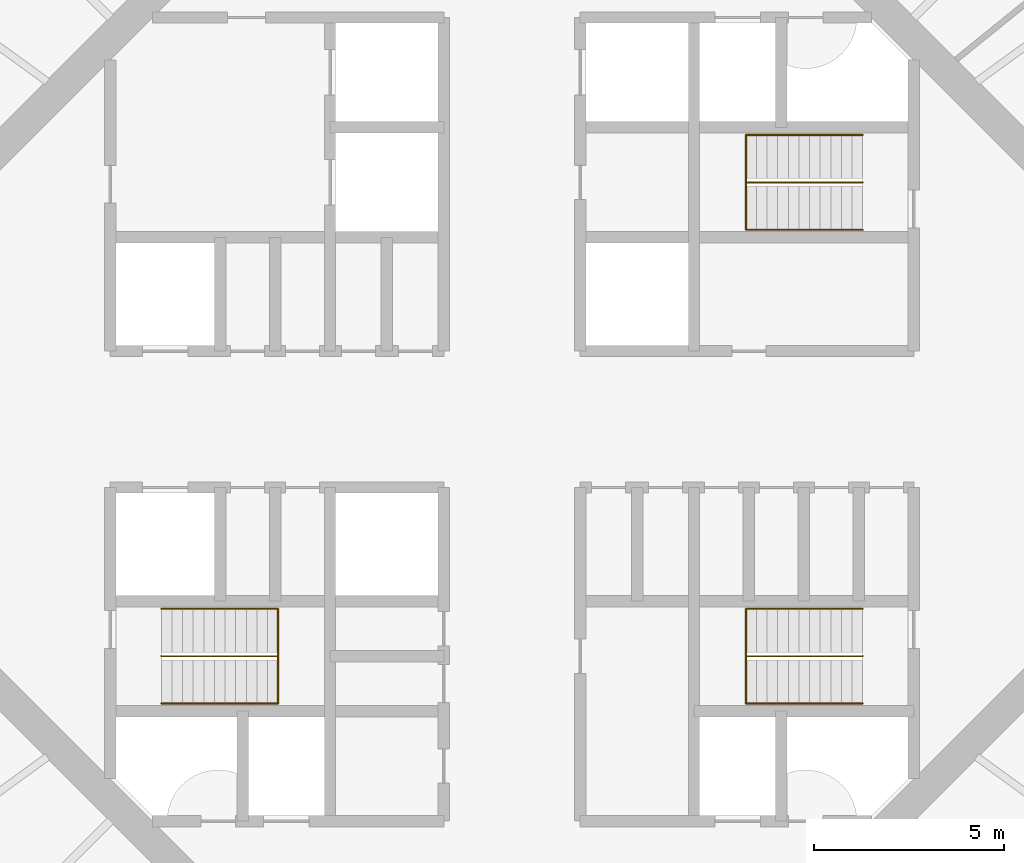
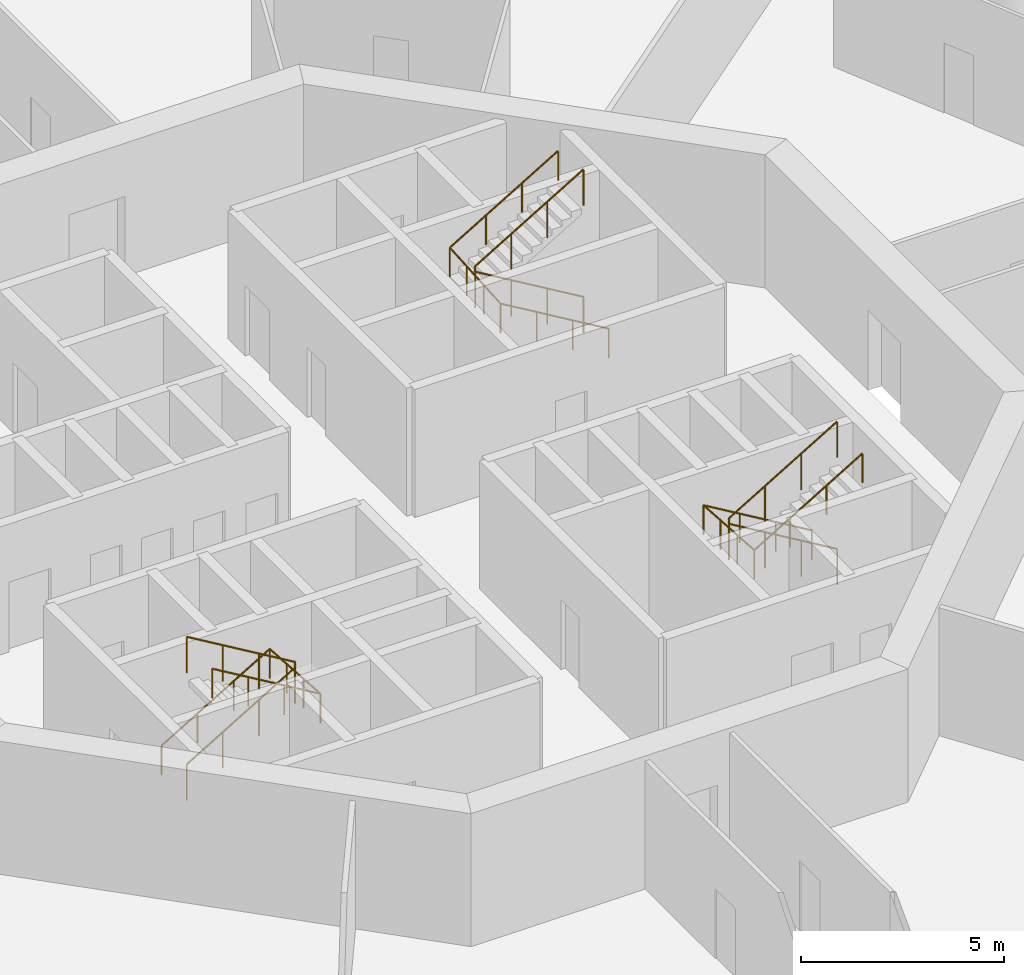
# One storey, part 13 of 13: 6 railings.
"""IFC4 building model written with IfcOpenShell, lengths in metres."""

import ifcopenshell
import ifcopenshell.guid

model = None  # the IFC model being written
_history = None  # IfcOwnerHistory: only IFC2X3 demands one
_inside = {}  # id of a spatial element -> (the spatial element, [elements in it])
_under = {}  # id of a project, library or spatial element -> (it, [spatial elements below it])
_declared = {}  # id of a project -> (the project, [libraries it declares])
_typed = {}  # id of a type object -> (the type object, [elements of that type])
_made_of = {}  # id of a material, layer set ... -> (it, [elements and type objects made of it])


def new_model(schema):
    """Start an empty IFC model of exactly this schema.

    Asked for "IFC4X3", IfcOpenShell would pick the latest addendum, in which some entities
    have other attributes; the version numbers below select the first issue.
    IFC2X3 requires an IfcOwnerHistory on every rooted entity: one is made here for all.
    """
    global model, _history
    if schema == "IFC4X3":
        model = ifcopenshell.file(schema_version=(4, 3, 0, 0))
    else:
        model = ifcopenshell.file(schema=schema)
    _inside.clear()
    _under.clear()
    _declared.clear()
    _typed.clear()
    _made_of.clear()
    _history = None
    if model.schema == "IFC2X3":
        org = make("IfcOrganization", Name="unknown")
        user = make(
            "IfcPersonAndOrganization",
            ThePerson=make("IfcPerson", FamilyName="unknown"),
            TheOrganization=org,
        )
        app = make(
            "IfcApplication",
            ApplicationDeveloper=org,
            Version="unknown",
            ApplicationFullName="unknown",
            ApplicationIdentifier="unknown",
        )
        _history = make(
            "IfcOwnerHistory",
            OwningUser=user,
            OwningApplication=app,
            ChangeAction="ADDED",
            CreationDate=0,
        )
    return model


def make(cls, **values):
    """One entity of the class cls with the attributes given. An attribute that is None is left unset."""
    return model.create_entity(
        cls, **{name: value for name, value in values.items() if value is not None}
    )


def rooted(cls, **values):
    """An entity with a GlobalId (a new one), such as an element, a storey or a relation."""
    return make(cls, GlobalId=ifcopenshell.guid.new(), OwnerHistory=_history, **values)


def si_unit(unit_type, name, prefix=None):
    """IfcSIUnit, for example si_unit("LENGTHUNIT", "METRE", prefix="MILLI")."""
    return make("IfcSIUnit", UnitType=unit_type, Prefix=prefix, Name=name)


def assignment(units):
    """IfcUnitAssignment: the units of a project."""
    return None if units is None else make("IfcUnitAssignment", Units=units)


def point(xyz):
    """IfcCartesianPoint."""
    return None if xyz is None else make("IfcCartesianPoint", Coordinates=xyz)


def direction(xyz):
    """IfcDirection."""
    return None if xyz is None else make("IfcDirection", DirectionRatios=xyz)


def frame(location, z_axis=None, x_axis=None):
    """IfcAxis2Placement3D, a coordinate frame: its origin and axes. An axis left out is left unset."""
    return make(
        "IfcAxis2Placement3D",
        Location=point(location),
        Axis=direction(z_axis),
        RefDirection=direction(x_axis),
    )


def frame_2d(location, x_axis=None):
    """IfcAxis2Placement2D, a coordinate frame in the plane: its origin and x axis."""
    return make(
        "IfcAxis2Placement2D", Location=point(location), RefDirection=direction(x_axis)
    )


def origin():
    """The frame at (0, 0, 0) with its axes left unset."""
    return frame((0.0, 0.0, 0.0))


def origin_2d():
    """The frame at (0, 0) in the plane with its x axis left unset."""
    return frame_2d((0.0, 0.0))


def place(relative_to, where):
    """IfcLocalPlacement: puts the frame where relative to a parent placement (None: the world)."""
    return make(
        "IfcLocalPlacement", PlacementRelTo=relative_to, RelativePlacement=where
    )


def context(
    kind, dimensions, precision=None, world=None, true_north=None, identifier=None
):
    """IfcGeometricRepresentationContext, for example the 3D "Model" context."""
    return make(
        "IfcGeometricRepresentationContext",
        ContextIdentifier=identifier,
        ContextType=kind,
        CoordinateSpaceDimension=dimensions,
        Precision=precision,
        WorldCoordinateSystem=world,
        TrueNorth=true_north,
    )


def subcontext(parent, identifier, kind, view, scale=None):
    """IfcGeometricRepresentationSubContext, for example "Body" below "Model"."""
    return make(
        "IfcGeometricRepresentationSubContext",
        ContextIdentifier=identifier,
        ContextType=kind,
        ParentContext=parent,
        TargetScale=scale,
        TargetView=view,
    )


def project(units=None, contexts=None):
    """IfcProject with its units and contexts."""
    return rooted(
        "IfcProject",
        Name="project",
        RepresentationContexts=contexts,
        UnitsInContext=assignment(units),
    )


def spatial(cls, under=None, at=None, **own):
    """A site, building, storey or space (cls), placed at a placement, below another one or the project."""
    s = rooted(cls, ObjectPlacement=at, **own)
    if under is not None:
        _under.setdefault(under.id(), (under, []))[1].append(s)
    return s


def profile(cls, at=None, kind="AREA", **sizes):
    """A parametric profile (cls). Its sizes go by their IFC names, for example OverallWidth=200.0."""
    return make(cls, ProfileType=kind, Position=at, **sizes)


def circle(**sizes):
    """IfcCircleProfileDef."""
    return profile("IfcCircleProfileDef", **sizes)


def extrude(swept, where, along, depth):
    """IfcExtrudedAreaSolid: the profile swept, set in the frame where, extruded along a direction by depth."""
    return make(
        "IfcExtrudedAreaSolid",
        SweptArea=swept,
        Position=where,
        ExtrudedDirection=direction(along),
        Depth=depth,
    )


def shape(context_of_items, identifier, shape_type, items):
    """IfcShapeRepresentation: the items that make up one representation, for example the "Body"."""
    return make(
        "IfcShapeRepresentation",
        ContextOfItems=context_of_items,
        RepresentationIdentifier=identifier,
        RepresentationType=shape_type,
        Items=items,
    )


def material(Name=None, Category=None):
    """IfcMaterial."""
    return make("IfcMaterial", Name=Name, Category=Category)


def made_of(thing, what):
    """Note that an element or type object is made of a material, layer set ...; save() writes the relation."""
    if what is not None:
        _made_of.setdefault(what.id(), (what, []))[1].append(thing)
    return thing


def type_object(cls, material=None, **own):
    """A type object (cls), such as IfcWallType, which elements share."""
    return made_of(rooted(cls, **own), material)


def element(
    cls,
    number,
    at=None,
    inside=None,
    cuts=None,
    type_object=None,
    material=None,
    context=None,
    identifier="Body",
    shape_type=None,
    held_by="IfcProductDefinitionShape",
    body=None,
    shapes=None,
    **own,
):
    """One element of the class cls, such as IfcWall. Its Tag is "e" and its number.

    at: its placement. inside: the storey or other place that contains it. cuts: it is an
    opening in that element (IfcRelVoidsElement). A single representation is given by context,
    identifier, shape_type and body (its items); several are given by shapes. held_by: the class
    of the entity that holds the representations. save() writes the other relations.
    """
    e = rooted(cls, Tag="e%d" % number, ObjectPlacement=at, **own)
    if body is not None:
        shapes = [shape(context, identifier, shape_type, body)]
    if shapes is not None:
        e.Representation = make(held_by, Representations=shapes)
    if inside is not None:
        _inside.setdefault(inside.id(), (inside, []))[1].append(e)
    if cuts is not None:
        rooted(
            "IfcRelVoidsElement", RelatingBuildingElement=cuts, RelatedOpeningElement=e
        )
    if type_object is not None:
        _typed.setdefault(type_object.id(), (type_object, []))[1].append(e)
    return made_of(e, material)


def aggregate(whole, parts):
    """IfcRelAggregates: a whole, such as a stair, and the parts it consists of."""
    return rooted("IfcRelAggregates", RelatingObject=whole, RelatedObjects=parts)


def save(model, path):
    """Write the relations noted so far, then the file.

    IfcRelAggregates (storeys below a building ...), IfcRelContainedInSpatialStructure (elements
    in a storey), IfcRelDefinesByType, IfcRelAssociatesMaterial and IfcRelDeclares: one each for
    every whole, place, type object, material and project.
    """
    for whole, parts in _under.values():
        aggregate(whole, parts)
    for where, things in _inside.values():
        rooted(
            "IfcRelContainedInSpatialStructure",
            RelatedElements=things,
            RelatingStructure=where,
        )
    for kind, things in _typed.values():
        rooted("IfcRelDefinesByType", RelatedObjects=things, RelatingType=kind)
    for what, things in _made_of.values():
        rooted("IfcRelAssociatesMaterial", RelatedObjects=things, RelatingMaterial=what)
    for by, libraries in _declared.values():
        rooted("IfcRelDeclares", RelatingContext=by, RelatedDefinitions=libraries)
    model.write(path)


model = new_model("IFC4")

# Units and contexts
model_context = context("Model", 3, precision=1e-05, world=origin(), true_north=direction((0.0, 1.0)))
body_context = subcontext(model_context, "Body", "Model", "MODEL_VIEW")
ifc_project = project(units=[si_unit("LENGTHUNIT", "METRE"), si_unit("AREAUNIT", "SQUARE_METRE"), si_unit("VOLUMEUNIT", "CUBIC_METRE"), si_unit("PLANEANGLEUNIT", "RADIAN"), si_unit("MASSUNIT", "GRAM", prefix="KILO")], contexts=[model_context])

# Site, building, storey
site_placement = place(None, origin())
site = spatial("IfcSite", under=ifc_project, at=site_placement, CompositionType="ELEMENT")
building_placement = place(site_placement, origin())
building = spatial("IfcBuilding", under=site, at=building_placement, Name="Entoto Ring Tower", CompositionType="ELEMENT")
storey_placement = place(building_placement, frame((0.0, 0.0, 318.0)))
storey = spatial("IfcBuildingStorey", under=building, at=storey_placement, Name="L73", CompositionType="ELEMENT", Elevation=318.0)

# Railings
ifc_material_1 = material(Name="Steel S275", Category="steel")
railing_type_1 = type_object("IfcRailingType", Name="Stair guard 1100 mm steel", PredefinedType="GUARDRAIL", material=ifc_material_1)
railing_1_placement = place(storey_placement, frame((99.25, 86.25, 0.166748046875)))
element("IfcRailing", 1, at=railing_1_placement, inside=storey, type_object=railing_type_1, Name="Guard ST1", PredefinedType="GUARDRAIL", context=body_context, shape_type="SweptSolid", body=[
    extrude(circle(Radius=0.02392578125, at=origin_2d()), frame((0.0, 0.0, 1.076171875), z_axis=(-0.859308565015, 0.0, 0.511457515432), x_axis=(0.0, -1.0, 0.0)), (0.0, 0.0, 1.0), 3.58447265625),
    extrude(circle(Radius=0.02392578125, at=origin_2d()), frame((-3.080078125, 0.0, 2.9091796875), z_axis=(0.0, 0.0, 1.0), x_axis=(1.0, 0.0, 0.0)), (0.0, 0.0, 1.0), 0.166748046875),
    extrude(circle(Radius=0.02392578125, at=origin_2d()), frame((-3.080078125, 0.0, 3.076171875), z_axis=(0.859308565015, 0.0, 0.511457515432), x_axis=(0.0, 1.0, 0.0)), (0.0, 0.0, 1.0), 3.58447265625),
    extrude(circle(Radius=0.02099609375, at=origin_2d()), origin(), (0.0, 0.0, 1.0), 1.052001953125),
    extrude(circle(Radius=0.02099609375, at=origin_2d()), frame((-1.026611328125, 0.0, 0.611083984375)), (0.0, 0.0, 1.0), 1.052001953125),
    extrude(circle(Radius=0.02099609375, at=origin_2d()), frame((-2.053466796875, 0.0, 1.22216796875)), (0.0, 0.0, 1.0), 1.052001953125),
    extrude(circle(Radius=0.02099609375, at=origin_2d()), frame((-3.080078125, 0.0, 1.833251953125)), (0.0, 0.0, 1.0), 1.052001953125),
    extrude(circle(Radius=0.02099609375, at=origin_2d()), frame((-3.080078125, 0.0, 2.0)), (0.0, 0.0, 1.0), 1.052001953125),
    extrude(circle(Radius=0.02099609375, at=origin_2d()), frame((-2.053466796875, 0.0, 2.611083984375)), (0.0, 0.0, 1.0), 1.052001953125),
    extrude(circle(Radius=0.02099609375, at=origin_2d()), frame((-1.026611328125, 0.0, 3.22216796875)), (0.0, 0.0, 1.0), 1.052001953125),
    extrude(circle(Radius=0.02099609375, at=origin_2d()), frame((0.0, 0.0, 3.833251953125)), (0.0, 0.0, 1.0), 1.052001953125),
])
railing_2_placement = place(storey_placement, frame((80.75, 73.75, 0.166748046875)))
element("IfcRailing", 2, at=railing_2_placement, inside=storey, type_object=railing_type_1, Name="Guard ST2", PredefinedType="GUARDRAIL", context=body_context, shape_type="SweptSolid", body=[
    extrude(circle(Radius=0.02392578125, at=origin_2d()), frame((0.0, 0.0, 1.076171875), z_axis=(0.859308565015, 0.0, 0.511457515432), x_axis=(0.0, 1.0, 0.0)), (0.0, 0.0, 1.0), 3.58447265625),
    extrude(circle(Radius=0.02392578125, at=origin_2d()), frame((3.080078125, 0.0, 2.9091796875), z_axis=(0.0, 0.0, 1.0), x_axis=(1.0, 0.0, 0.0)), (0.0, 0.0, 1.0), 0.166748046875),
    extrude(circle(Radius=0.02392578125, at=origin_2d()), frame((3.080078125, 0.0, 3.076171875), z_axis=(-0.859308565015, 0.0, 0.511457515432), x_axis=(0.0, -1.0, 0.0)), (0.0, 0.0, 1.0), 3.58447265625),
    extrude(circle(Radius=0.02099609375, at=origin_2d()), origin(), (0.0, 0.0, 1.0), 1.052001953125),
    extrude(circle(Radius=0.02099609375, at=origin_2d()), frame((1.026611328125, 0.0, 0.611083984375)), (0.0, 0.0, 1.0), 1.052001953125),
    extrude(circle(Radius=0.02099609375, at=origin_2d()), frame((2.053466796875, 0.0, 1.22216796875)), (0.0, 0.0, 1.0), 1.052001953125),
    extrude(circle(Radius=0.02099609375, at=origin_2d()), frame((3.080078125, 0.0, 1.833251953125)), (0.0, 0.0, 1.0), 1.052001953125),
    extrude(circle(Radius=0.02099609375, at=origin_2d()), frame((3.080078125, 0.0, 2.0)), (0.0, 0.0, 1.0), 1.052001953125),
    extrude(circle(Radius=0.02099609375, at=origin_2d()), frame((2.053466796875, 0.0, 2.611083984375)), (0.0, 0.0, 1.0), 1.052001953125),
    extrude(circle(Radius=0.02099609375, at=origin_2d()), frame((1.026611328125, 0.0, 3.22216796875)), (0.0, 0.0, 1.0), 1.052001953125),
    extrude(circle(Radius=0.02099609375, at=origin_2d()), frame((0.0, 0.0, 3.833251953125)), (0.0, 0.0, 1.0), 1.052001953125),
])
railing_3_placement = place(storey_placement, frame((99.25, 73.75, 0.166748046875)))
element("IfcRailing", 3, at=railing_3_placement, inside=storey, type_object=railing_type_1, Name="Guard ST3", PredefinedType="GUARDRAIL", context=body_context, shape_type="SweptSolid", body=[
    extrude(circle(Radius=0.02392578125, at=origin_2d()), frame((0.0, 0.0, 1.076171875), z_axis=(-0.859308565015, 0.0, 0.511457515432), x_axis=(0.0, -1.0, 0.0)), (0.0, 0.0, 1.0), 3.58447265625),
    extrude(circle(Radius=0.02392578125, at=origin_2d()), frame((-3.080078125, 0.0, 2.9091796875), z_axis=(0.0, 0.0, 1.0), x_axis=(1.0, 0.0, 0.0)), (0.0, 0.0, 1.0), 0.166748046875),
    extrude(circle(Radius=0.02392578125, at=origin_2d()), frame((-3.080078125, 0.0, 3.076171875), z_axis=(0.859308565015, 0.0, 0.511457515432), x_axis=(0.0, 1.0, 0.0)), (0.0, 0.0, 1.0), 3.58447265625),
    extrude(circle(Radius=0.02099609375, at=origin_2d()), origin(), (0.0, 0.0, 1.0), 1.052001953125),
    extrude(circle(Radius=0.02099609375, at=origin_2d()), frame((-1.026611328125, 0.0, 0.611083984375)), (0.0, 0.0, 1.0), 1.052001953125),
    extrude(circle(Radius=0.02099609375, at=origin_2d()), frame((-2.053466796875, 0.0, 1.22216796875)), (0.0, 0.0, 1.0), 1.052001953125),
    extrude(circle(Radius=0.02099609375, at=origin_2d()), frame((-3.080078125, 0.0, 1.833251953125)), (0.0, 0.0, 1.0), 1.052001953125),
    extrude(circle(Radius=0.02099609375, at=origin_2d()), frame((-3.080078125, 0.0, 2.0)), (0.0, 0.0, 1.0), 1.052001953125),
    extrude(circle(Radius=0.02099609375, at=origin_2d()), frame((-2.053466796875, 0.0, 2.611083984375)), (0.0, 0.0, 1.0), 1.052001953125),
    extrude(circle(Radius=0.02099609375, at=origin_2d()), frame((-1.026611328125, 0.0, 3.22216796875)), (0.0, 0.0, 1.0), 1.052001953125),
    extrude(circle(Radius=0.02099609375, at=origin_2d()), frame((0.0, 0.0, 3.833251953125)), (0.0, 0.0, 1.0), 1.052001953125),
])
ifc_material_2 = material(Name="Steel S275", Category="steel")
railing_type_2 = type_object("IfcRailingType", Name="Stair handrail 900 mm steel", PredefinedType="HANDRAIL", material=ifc_material_2)
railing_4_placement = place(storey_placement, frame((99.25, 85.0, 0.166748046875)))
element("IfcRailing", 4, at=railing_4_placement, inside=storey, type_object=railing_type_2, Name="Handrail ST1", PredefinedType="HANDRAIL", context=body_context, shape_type="SweptSolid", body=[
    extrude(circle(Radius=0.02392578125, at=origin_2d()), frame((0.0, 0.0, 0.8759765625), z_axis=(-0.859308565015, 0.0, 0.511457515432), x_axis=(0.0, -1.0, 0.0)), (0.0, 0.0, 1.0), 3.58447265625),
    extrude(circle(Radius=0.02392578125, at=origin_2d()), frame((-3.080078125, 0.0, 2.708984375), z_axis=(0.0, 0.997783001586, 0.066551346688), x_axis=(-1.0, 0.0, 0.0)), (0.0, 0.0, 1.0), 2.505615234375),
    extrude(circle(Radius=0.02392578125, at=origin_2d()), frame((-3.080078125, 2.5, 2.8759765625), z_axis=(0.859308565015, 0.0, 0.511457515432), x_axis=(0.0, 1.0, 0.0)), (0.0, 0.0, 1.0), 3.58447265625),
    extrude(circle(Radius=0.02099609375, at=origin_2d()), origin(), (0.0, 0.0, 1.0), 0.851806640625),
    extrude(circle(Radius=0.02099609375, at=origin_2d()), frame((-1.026611328125, 0.0, 0.611083984375)), (0.0, 0.0, 1.0), 0.851806640625),
    extrude(circle(Radius=0.02099609375, at=origin_2d()), frame((-2.053466796875, 0.0, 1.22216796875)), (0.0, 0.0, 1.0), 0.851806640625),
    extrude(circle(Radius=0.02099609375, at=origin_2d()), frame((-3.080078125, 0.0, 1.833251953125)), (0.0, 0.0, 1.0), 0.851806640625),
    extrude(circle(Radius=0.02099609375, at=origin_2d()), frame((-3.080078125, 0.833251953125, 1.888916015625)), (0.0, 0.0, 1.0), 0.851806640625),
    extrude(circle(Radius=0.02099609375, at=origin_2d()), frame((-3.080078125, 1.666748046875, 1.9443359375)), (0.0, 0.0, 1.0), 0.851806640625),
    extrude(circle(Radius=0.02099609375, at=origin_2d()), frame((-3.080078125, 2.5, 2.0)), (0.0, 0.0, 1.0), 0.851806640625),
    extrude(circle(Radius=0.02099609375, at=origin_2d()), frame((-2.053466796875, 2.5, 2.611083984375)), (0.0, 0.0, 1.0), 0.851806640625),
    extrude(circle(Radius=0.02099609375, at=origin_2d()), frame((-1.026611328125, 2.5, 3.22216796875)), (0.0, 0.0, 1.0), 0.851806640625),
    extrude(circle(Radius=0.02099609375, at=origin_2d()), frame((0.0, 2.5, 3.833251953125)), (0.0, 0.0, 1.0), 0.851806640625),
])
railing_5_placement = place(storey_placement, frame((80.75, 75.0, 0.166748046875)))
element("IfcRailing", 5, at=railing_5_placement, inside=storey, type_object=railing_type_2, Name="Handrail ST2", PredefinedType="HANDRAIL", context=body_context, shape_type="SweptSolid", body=[
    extrude(circle(Radius=0.02392578125, at=origin_2d()), frame((0.0, 0.0, 0.8759765625), z_axis=(0.859308565015, 0.0, 0.511457515432), x_axis=(0.0, 1.0, 0.0)), (0.0, 0.0, 1.0), 3.58447265625),
    extrude(circle(Radius=0.02392578125, at=origin_2d()), frame((3.080078125, 0.0, 2.708984375), z_axis=(0.0, -0.997783001586, 0.066551346688), x_axis=(1.0, 0.0, 0.0)), (0.0, 0.0, 1.0), 2.505615234375),
    extrude(circle(Radius=0.02392578125, at=origin_2d()), frame((3.080078125, -2.5, 2.8759765625), z_axis=(-0.859308565015, 0.0, 0.511457515432), x_axis=(0.0, -1.0, 0.0)), (0.0, 0.0, 1.0), 3.58447265625),
    extrude(circle(Radius=0.02099609375, at=origin_2d()), origin(), (0.0, 0.0, 1.0), 0.851806640625),
    extrude(circle(Radius=0.02099609375, at=origin_2d()), frame((1.026611328125, 0.0, 0.611083984375)), (0.0, 0.0, 1.0), 0.851806640625),
    extrude(circle(Radius=0.02099609375, at=origin_2d()), frame((2.053466796875, 0.0, 1.22216796875)), (0.0, 0.0, 1.0), 0.851806640625),
    extrude(circle(Radius=0.02099609375, at=origin_2d()), frame((3.080078125, 0.0, 1.833251953125)), (0.0, 0.0, 1.0), 0.851806640625),
    extrude(circle(Radius=0.02099609375, at=origin_2d()), frame((3.080078125, -0.833251953125, 1.888916015625)), (0.0, 0.0, 1.0), 0.851806640625),
    extrude(circle(Radius=0.02099609375, at=origin_2d()), frame((3.080078125, -1.666748046875, 1.9443359375)), (0.0, 0.0, 1.0), 0.851806640625),
    extrude(circle(Radius=0.02099609375, at=origin_2d()), frame((3.080078125, -2.5, 2.0)), (0.0, 0.0, 1.0), 0.851806640625),
    extrude(circle(Radius=0.02099609375, at=origin_2d()), frame((2.053466796875, -2.5, 2.611083984375)), (0.0, 0.0, 1.0), 0.851806640625),
    extrude(circle(Radius=0.02099609375, at=origin_2d()), frame((1.026611328125, -2.5, 3.22216796875)), (0.0, 0.0, 1.0), 0.851806640625),
    extrude(circle(Radius=0.02099609375, at=origin_2d()), frame((0.0, -2.5, 3.833251953125)), (0.0, 0.0, 1.0), 0.851806640625),
])
railing_6_placement = place(storey_placement, frame((99.25, 75.0, 0.166748046875)))
element("IfcRailing", 6, at=railing_6_placement, inside=storey, type_object=railing_type_2, Name="Handrail ST3", PredefinedType="HANDRAIL", context=body_context, shape_type="SweptSolid", body=[
    extrude(circle(Radius=0.02392578125, at=origin_2d()), frame((0.0, 0.0, 0.8759765625), z_axis=(-0.859308565015, 0.0, 0.511457515432), x_axis=(0.0, -1.0, 0.0)), (0.0, 0.0, 1.0), 3.58447265625),
    extrude(circle(Radius=0.02392578125, at=origin_2d()), frame((-3.080078125, 0.0, 2.708984375), z_axis=(0.0, -0.997783001586, 0.066551346688), x_axis=(1.0, 0.0, 0.0)), (0.0, 0.0, 1.0), 2.505615234375),
    extrude(circle(Radius=0.02392578125, at=origin_2d()), frame((-3.080078125, -2.5, 2.8759765625), z_axis=(0.859308565015, 0.0, 0.511457515432), x_axis=(0.0, 1.0, 0.0)), (0.0, 0.0, 1.0), 3.58447265625),
    extrude(circle(Radius=0.02099609375, at=origin_2d()), origin(), (0.0, 0.0, 1.0), 0.851806640625),
    extrude(circle(Radius=0.02099609375, at=origin_2d()), frame((-1.026611328125, 0.0, 0.611083984375)), (0.0, 0.0, 1.0), 0.851806640625),
    extrude(circle(Radius=0.02099609375, at=origin_2d()), frame((-2.053466796875, 0.0, 1.22216796875)), (0.0, 0.0, 1.0), 0.851806640625),
    extrude(circle(Radius=0.02099609375, at=origin_2d()), frame((-3.080078125, 0.0, 1.833251953125)), (0.0, 0.0, 1.0), 0.851806640625),
    extrude(circle(Radius=0.02099609375, at=origin_2d()), frame((-3.080078125, -0.833251953125, 1.888916015625)), (0.0, 0.0, 1.0), 0.851806640625),
    extrude(circle(Radius=0.02099609375, at=origin_2d()), frame((-3.080078125, -1.666748046875, 1.9443359375)), (0.0, 0.0, 1.0), 0.851806640625),
    extrude(circle(Radius=0.02099609375, at=origin_2d()), frame((-3.080078125, -2.5, 2.0)), (0.0, 0.0, 1.0), 0.851806640625),
    extrude(circle(Radius=0.02099609375, at=origin_2d()), frame((-2.053466796875, -2.5, 2.611083984375)), (0.0, 0.0, 1.0), 0.851806640625),
    extrude(circle(Radius=0.02099609375, at=origin_2d()), frame((-1.026611328125, -2.5, 3.22216796875)), (0.0, 0.0, 1.0), 0.851806640625),
    extrude(circle(Radius=0.02099609375, at=origin_2d()), frame((0.0, -2.5, 3.833251953125)), (0.0, 0.0, 1.0), 0.851806640625),
])

save(model, "model.ifc")
